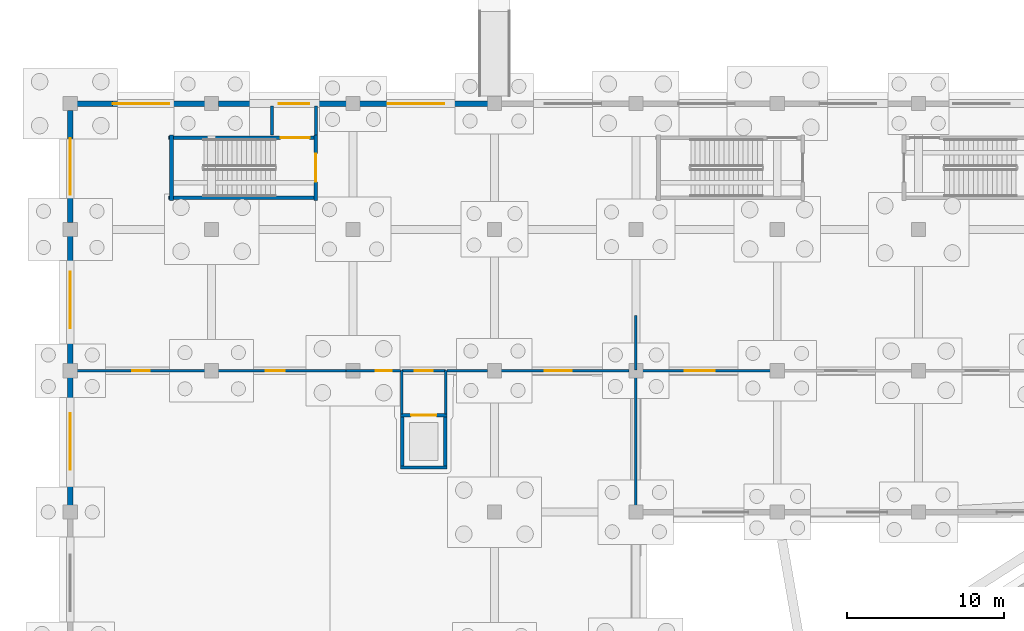
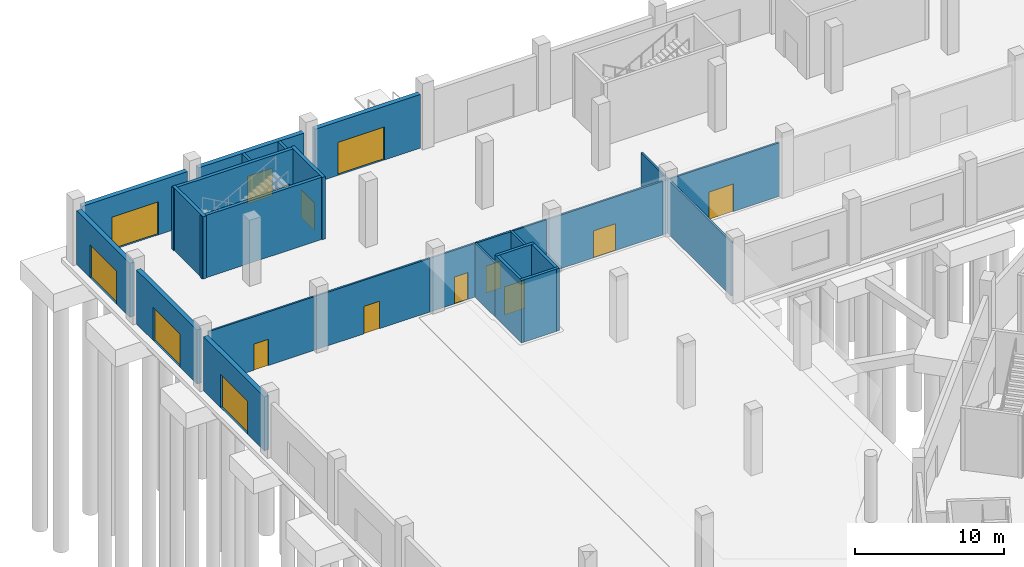
# One storey, part 43 of 103: 27 walls, 15 doors, 15 openings.
"""IFC4 building model written with IfcOpenShell, lengths in metres."""

from ifc_helpers import new_model, si_unit, direction, frame, frame_2d, origin, place, context, subcontext, project, spatial, rectangle, extrude, material, layer, layer_set, type_object, element, fill, save


model = new_model("IFC4")

# Units and contexts
model_context = context("Model", 3, precision=1e-05, world=origin(), true_north=direction((0.0, 1.0)))
body_context = subcontext(model_context, "Body", "Model", "MODEL_VIEW")
ifc_project = project(units=[si_unit("LENGTHUNIT", "METRE"), si_unit("AREAUNIT", "SQUARE_METRE"), si_unit("VOLUMEUNIT", "CUBIC_METRE"), si_unit("PLANEANGLEUNIT", "RADIAN"), si_unit("MASSUNIT", "GRAM", prefix="KILO")], contexts=[model_context])

# Site, building, storey
site_placement = place(None, origin())
site = spatial("IfcSite", under=ifc_project, at=site_placement, CompositionType="ELEMENT")
building_placement = place(site_placement, origin())
building = spatial("IfcBuilding", under=site, at=building_placement, Name="Zevraka Park Crest Stadium", CompositionType="ELEMENT")
storey_placement = place(building_placement, origin())
storey = spatial("IfcBuildingStorey", under=building, at=storey_placement, Name="L00", CompositionType="ELEMENT", Elevation=0.0)

# Wall, opening, door
ifc_material_1 = material(Name="Limestone and red clay brick masonry", Category="masonry")
ifc_layer_1 = layer(ifc_material_1, 0.35009765625)
ifc_layer_set_1 = layer_set([ifc_layer_1], Name="Limestone and red clay brick masonry")
wall_type_1 = type_object("IfcWallType", Name="EW01", PredefinedType="STANDARD", material=ifc_layer_set_1)
wall_1_placement = place(storey_placement, frame((0.0, 158.425048828125, 0.0), z_axis=(0.0, 0.0, 1.0), x_axis=(0.0, 1.0, 0.0)))
wall_1 = element("IfcWall", 1, at=wall_1_placement, inside=storey, type_object=wall_type_1, Name="Wing External Cavity Wall EW01 L00-NW-W-6", PredefinedType="STANDARD", context=body_context, shape_type="SweptSolid", body=[
    extrude(rectangle(XDim=8.14990234375, YDim=0.35009765625, at=frame_2d((4.074951171875, 0.0))), origin(), (0.0, 0.0, 1.0), 4.4169921875),
])
opening_1_placement = place(wall_1_placement, frame((2.27490234375, 0.0, 0.0)))
opening_1 = element("IfcOpeningElement", 2, at=opening_1_placement, cuts=wall_1, Name="Opening D-L00-E38", PredefinedType="OPENING", context=body_context, shape_type="SweptSolid", body=[
    extrude(rectangle(XDim=3.60009765625, YDim=2.699951171875, at=frame_2d((1.800048828125, 1.35009765625))), frame((0.0, 0.18505859375, 0.0), z_axis=(0.0, -1.0, 0.0), x_axis=(1.0, 0.0, 0.0)), (0.0, 0.0, 1.0), 0.3701171875),
])
ifc_material_2 = material(Name="Thermally broken architectural aluminium and safety glass", Category="aluminium")
door_type_1 = type_object("IfcDoorType", Name="ED01", OperationType="NOTDEFINED", PredefinedType="DOOR", material=ifc_material_2)
door_1_placement = place(opening_1_placement, origin())
door_1 = element("IfcDoor", 3, at=door_1_placement, inside=storey, type_object=door_type_1, Name="Concourse Final Exit E38", OperationType="DOUBLE_DOOR_SINGLE_SWING", OverallHeight=2.699951171875, OverallWidth=3.60009765625, PredefinedType="DOOR", context=body_context, shape_type="SweptSolid", body=[
    extrude(rectangle(XDim=3.60009765625, YDim=2.699951171875, at=frame_2d((1.800048828125, 1.35009765625))), frame((0.0, 0.02490234375, 0.0), z_axis=(0.0, -1.0, 0.0), x_axis=(1.0, 0.0, 0.0)), (0.0, 0.0, 1.0), 0.050048828125),
])
fill(opening_1, door_1)

wall_2_placement = place(storey_placement, frame((0.0, 167.425048828125, 0.0), z_axis=(0.0, 0.0, 1.0), x_axis=(0.0, 1.0, 0.0)))
wall_2 = element("IfcWall", 4, at=wall_2_placement, inside=storey, type_object=wall_type_1, Name="Wing External Cavity Wall EW01 L00-NW-W-7", PredefinedType="STANDARD", context=body_context, shape_type="SweptSolid", body=[
    extrude(rectangle(XDim=8.14990234375, YDim=0.35009765625, at=frame_2d((4.074951171875, 0.0))), origin(), (0.0, 0.0, 1.0), 4.4169921875),
])
opening_2_placement = place(wall_2_placement, frame((2.27490234375, 0.0, 0.0)))
opening_2 = element("IfcOpeningElement", 5, at=opening_2_placement, cuts=wall_2, Name="Opening D-L00-E39", PredefinedType="OPENING", context=body_context, shape_type="SweptSolid", body=[
    extrude(rectangle(XDim=3.60009765625, YDim=2.699951171875, at=frame_2d((1.800048828125, 1.35009765625))), frame((0.0, 0.18505859375, 0.0), z_axis=(0.0, -1.0, 0.0), x_axis=(1.0, 0.0, 0.0)), (0.0, 0.0, 1.0), 0.3701171875),
])
door_2_placement = place(opening_2_placement, origin())
door_2 = element("IfcDoor", 6, at=door_2_placement, inside=storey, type_object=door_type_1, Name="Concourse Final Exit E39", OperationType="DOUBLE_DOOR_SINGLE_SWING", OverallHeight=2.699951171875, OverallWidth=3.60009765625, PredefinedType="DOOR", context=body_context, shape_type="SweptSolid", body=[
    extrude(rectangle(XDim=3.60009765625, YDim=2.699951171875, at=frame_2d((1.800048828125, 1.35009765625))), frame((0.0, 0.02490234375, 0.0), z_axis=(0.0, -1.0, 0.0), x_axis=(1.0, 0.0, 0.0)), (0.0, 0.0, 1.0), 0.050048828125),
])
fill(opening_2, door_2)

wall_3_placement = place(storey_placement, frame((0.0, 176.425048828125, 0.0), z_axis=(0.0, 0.0, 1.0), x_axis=(0.0, 1.0, 0.0)))
wall_3 = element("IfcWall", 7, at=wall_3_placement, inside=storey, type_object=wall_type_1, Name="Wing External Cavity Wall EW01 L00-NW-W-8", PredefinedType="STANDARD", context=body_context, shape_type="SweptSolid", body=[
    extrude(rectangle(XDim=7.14990234375, YDim=0.35009765625, at=frame_2d((3.574951171875, 0.0))), origin(), (0.0, 0.0, 1.0), 4.4169921875),
])
opening_3_placement = place(wall_3_placement, frame((1.77490234375, 0.0, 0.0)))
opening_3 = element("IfcOpeningElement", 8, at=opening_3_placement, cuts=wall_3, Name="Opening D-L00-E40", PredefinedType="OPENING", context=body_context, shape_type="SweptSolid", body=[
    extrude(rectangle(XDim=3.60009765625, YDim=2.699951171875, at=frame_2d((1.800048828125, 1.35009765625))), frame((0.0, 0.18505859375, 0.0), z_axis=(0.0, -1.0, 0.0), x_axis=(1.0, 0.0, 0.0)), (0.0, 0.0, 1.0), 0.3701171875),
])
door_3_placement = place(opening_3_placement, origin())
door_3 = element("IfcDoor", 9, at=door_3_placement, inside=storey, type_object=door_type_1, Name="Concourse Final Exit E40", OperationType="DOUBLE_DOOR_SINGLE_SWING", OverallHeight=2.699951171875, OverallWidth=3.60009765625, PredefinedType="DOOR", context=body_context, shape_type="SweptSolid", body=[
    extrude(rectangle(XDim=3.60009765625, YDim=2.699951171875, at=frame_2d((1.800048828125, 1.35009765625))), frame((0.0, 0.02490234375, 0.0), z_axis=(0.0, -1.0, 0.0), x_axis=(1.0, 0.0, 0.0)), (0.0, 0.0, 1.0), 0.050048828125),
])
fill(opening_3, door_3)

wall_4_placement = place(storey_placement, frame((0.425048828125, 184.0, 0.0), z_axis=(0.0, 0.0, 1.0), x_axis=(1.0, 0.0, 0.0)))
wall_4 = element("IfcWall", 10, at=wall_4_placement, inside=storey, type_object=wall_type_1, Name="Wing External Cavity Wall EW01 L00-NW-N-1", PredefinedType="STANDARD", context=body_context, shape_type="SweptSolid", body=[
    extrude(rectangle(XDim=8.14990234375, YDim=0.35009765625, at=frame_2d((4.074951171875, 0.0))), origin(), (0.0, 0.0, 1.0), 4.383544921875),
])
opening_4_placement = place(wall_4_placement, frame((2.27490234375, 0.0, 0.0)))
opening_4 = element("IfcOpeningElement", 11, at=opening_4_placement, cuts=wall_4, Name="Opening D-L00-E41", PredefinedType="OPENING", context=body_context, shape_type="SweptSolid", body=[
    extrude(rectangle(XDim=3.60009765625, YDim=2.699951171875, at=frame_2d((1.800048828125, 1.35009765625))), frame((0.0, 0.18505859375, 0.0), z_axis=(0.0, -1.0, 0.0), x_axis=(1.0, 0.0, 0.0)), (0.0, 0.0, 1.0), 0.3701171875),
])
door_4_placement = place(opening_4_placement, origin())
door_4 = element("IfcDoor", 12, at=door_4_placement, inside=storey, type_object=door_type_1, Name="Concourse Final Exit E41", OperationType="DOUBLE_DOOR_SINGLE_SWING", OverallHeight=2.699951171875, OverallWidth=3.60009765625, PredefinedType="DOOR", context=body_context, shape_type="SweptSolid", body=[
    extrude(rectangle(XDim=3.60009765625, YDim=2.699951171875, at=frame_2d((1.800048828125, 1.35009765625))), frame((0.0, 0.02490234375, 0.0), z_axis=(0.0, -1.0, 0.0), x_axis=(1.0, 0.0, 0.0)), (0.0, 0.0, 1.0), 0.050048828125),
])
fill(opening_4, door_4)

wall_5_placement = place(storey_placement, frame((9.425048828125, 184.0, 0.0), z_axis=(0.0, 0.0, 1.0), x_axis=(1.0, 0.0, 0.0)))
wall_5 = element("IfcWall", 13, at=wall_5_placement, inside=storey, type_object=wall_type_1, Name="Wing External Cavity Wall EW01 L00-NW-N-2", PredefinedType="STANDARD", context=body_context, shape_type="SweptSolid", body=[
    extrude(rectangle(XDim=8.14990234375, YDim=0.35009765625, at=frame_2d((4.074951171875, 0.0))), origin(), (0.0, 0.0, 1.0), 4.383544921875),
])
opening_5_placement = place(wall_5_placement, frame((3.85009765625, 0.0, 0.0)))
opening_5 = element("IfcOpeningElement", 14, at=opening_5_placement, cuts=wall_5, Name="Opening D-L00-EX-ST47", PredefinedType="OPENING", context=body_context, shape_type="SweptSolid", body=[
    extrude(rectangle(XDim=1.949951171875, YDim=2.25, at=frame_2d((0.97509765625, 1.125))), frame((0.0, 0.18505859375, 0.0), z_axis=(0.0, -1.0, 0.0), x_axis=(1.0, 0.0, 0.0)), (0.0, 0.0, 1.0), 0.3701171875),
])
ifc_material_3 = material(Name="Thermally broken architectural aluminium and safety glass", Category="aluminium")
door_type_2 = type_object("IfcDoorType", Name="ED05", OperationType="NOTDEFINED", PredefinedType="DOOR", material=ifc_material_3)
door_5_placement = place(opening_5_placement, origin())
door_5 = element("IfcDoor", 15, at=door_5_placement, inside=storey, type_object=door_type_2, Name="Stair Final Exit Discharge Door D-L00-EX-ST47", OperationType="DOUBLE_DOOR_SINGLE_SWING", OverallHeight=2.25, OverallWidth=1.949951171875, PredefinedType="DOOR", context=body_context, shape_type="SweptSolid", body=[
    extrude(rectangle(XDim=1.949951171875, YDim=2.25, at=frame_2d((0.97509765625, 1.125))), frame((0.0, 0.02490234375, 0.0), z_axis=(0.0, -1.0, 0.0), x_axis=(1.0, 0.0, 0.0)), (0.0, 0.0, 1.0), 0.050048828125),
])
fill(opening_5, door_5)

wall_6_placement = place(storey_placement, frame((18.425048828125, 184.0, 0.0), z_axis=(0.0, 0.0, 1.0), x_axis=(1.0, 0.0, 0.0)))
wall_6 = element("IfcWall", 16, at=wall_6_placement, inside=storey, type_object=wall_type_1, Name="Wing External Cavity Wall EW01 L00-NW-N-3", PredefinedType="STANDARD", context=body_context, shape_type="SweptSolid", body=[
    extrude(rectangle(XDim=8.14990234375, YDim=0.35009765625, at=frame_2d((4.074951171875, 0.0))), origin(), (0.0, 0.0, 1.0), 4.383544921875),
])
opening_6_placement = place(wall_6_placement, frame((1.77490234375, 0.0, 0.0)))
opening_6 = element("IfcOpeningElement", 17, at=opening_6_placement, cuts=wall_6, Name="Opening D-L00-E42", PredefinedType="OPENING", context=body_context, shape_type="SweptSolid", body=[
    extrude(rectangle(XDim=3.60009765625, YDim=2.699951171875, at=frame_2d((1.800048828125, 1.35009765625))), frame((0.0, 0.18505859375, 0.0), z_axis=(0.0, -1.0, 0.0), x_axis=(1.0, 0.0, 0.0)), (0.0, 0.0, 1.0), 0.3701171875),
])
door_6_placement = place(opening_6_placement, origin())
door_6 = element("IfcDoor", 18, at=door_6_placement, inside=storey, type_object=door_type_1, Name="Concourse Final Exit E42", OperationType="DOUBLE_DOOR_SINGLE_SWING", OverallHeight=2.699951171875, OverallWidth=3.60009765625, PredefinedType="DOOR", context=body_context, shape_type="SweptSolid", body=[
    extrude(rectangle(XDim=3.60009765625, YDim=2.699951171875, at=frame_2d((1.800048828125, 1.35009765625))), frame((0.0, 0.02490234375, 0.0), z_axis=(0.0, -1.0, 0.0), x_axis=(1.0, 0.0, 0.0)), (0.0, 0.0, 1.0), 0.050048828125),
])
fill(opening_6, door_6)

# Walls
ifc_material_4 = material(Name="Autoclaved aerated masonry blockwork", Category="masonry")
ifc_layer_2 = layer(ifc_material_4, 0.199951171875)
ifc_layer_set_2 = layer_set([ifc_layer_2], Name="Autoclaved aerated masonry blockwork")
wall_type_2 = type_object("IfcWallType", Name="IW01", PredefinedType="PARTITIONING", material=ifc_layer_set_2)
for number, where, z_axis, x_axis, name in (
    (19, (15.64990234375, 182.0, 0.0), (0.0, 0.0, 1.0), (0.0, 1.0, 0.0), "Protected Exit Passageway Wall IW01 ST47-A"),
    (20, (12.85009765625, 182.0, 0.0), (0.0, 0.0, 1.0), (0.0, 1.0, 0.0), "Protected Exit Passageway Wall IW01 ST47-B"),
):
    element("IfcWall", number, at=place(storey_placement, frame(where, z_axis=z_axis, x_axis=x_axis)), inside=storey, type_object=wall_type_2, Name=name, PredefinedType="PARTITIONING", context=body_context, shape_type="SweptSolid", body=[
        extrude(rectangle(XDim=1.844970703125, YDim=0.199951171875, at=frame_2d((0.92236328125, 0.0))), origin(), (0.0, 0.0, 1.0), 4.383544921875),
    ])
ifc_material_5 = material(Name="Fire-rated twin-stud acoustic drywall", Category="other")
ifc_layer_3 = layer(ifc_material_5, 0.159912109375)
ifc_layer_set_3 = layer_set([ifc_layer_3], Name="Fire-rated twin-stud acoustic drywall")
wall_type_3 = type_object("IfcWallType", Name="IW02", PredefinedType="PARTITIONING", material=ifc_layer_set_3)
for number, where, z_axis, x_axis, name in (
    (21, (23.889892578125, 164.25, 0.0), (0.0, 0.0, 1.0), (0.0, 1.0, 0.0), "Goods Lift Lobby Wall IW02 GL01 L00 LEFT"),
    (22, (21.110107421875, 164.25, 0.0), (0.0, 0.0, 1.0), (0.0, 1.0, 0.0), "Goods Lift Lobby Wall IW02 GL01 L00 RIGHT"),
):
    element("IfcWall", number, at=place(storey_placement, frame(where, z_axis=z_axis, x_axis=x_axis)), inside=storey, type_object=wall_type_3, Name=name, PredefinedType="PARTITIONING", context=body_context, shape_type="SweptSolid", body=[
        extrude(rectangle(XDim=2.75, YDim=0.159912109375, at=frame_2d((1.375, 0.0))), origin(), (0.0, 0.0, 1.0), 4.383544921875),
    ])

# Wall, opening, door
wall_7_placement = place(storey_placement, frame((23.889892578125, 167.0, 0.0), z_axis=(0.0, 0.0, 1.0), x_axis=(-1.0, 0.0, 0.0)))
wall_7 = element("IfcWall", 23, at=wall_7_placement, inside=storey, type_object=wall_type_3, Name="Goods Lift Lobby Wall IW02 GL01 L00 FRONT", PredefinedType="PARTITIONING", context=body_context, shape_type="SweptSolid", body=[
    extrude(rectangle(XDim=2.77978515625, YDim=0.159912109375, at=frame_2d((1.389892578125, 0.0))), origin(), (0.0, 0.0, 1.0), 4.383544921875),
])
opening_7_placement = place(wall_7_placement, frame((0.81494140625, 0.0, 0.0)))
opening_7 = element("IfcOpeningElement", 24, at=opening_7_placement, cuts=wall_7, Name="Opening D-L00-329", PredefinedType="OPENING", context=body_context, shape_type="SweptSolid", body=[
    extrude(rectangle(XDim=1.14990234375, YDim=2.199951171875, at=frame_2d((0.574951171875, 1.10009765625))), frame((0.0, 0.08984375, 0.0), z_axis=(0.0, -1.0, 0.0), x_axis=(1.0, 0.0, 0.0)), (0.0, 0.0, 1.0), 0.179931640625),
])
ifc_material_6 = material(Name="Solid-core hardwood timber leaf in steel frame", Category="steel")
door_type_3 = type_object("IfcDoorType", Name="DR03", OperationType="NOTDEFINED", PredefinedType="DOOR", material=ifc_material_6)
door_7_placement = place(opening_7_placement, origin())
door_7 = element("IfcDoor", 25, at=door_7_placement, inside=storey, type_object=door_type_3, Name="Goods Lift Lobby GL01 Door D-L00-329", OperationType="SINGLE_SWING_LEFT", OverallHeight=2.199951171875, OverallWidth=1.14990234375, PredefinedType="DOOR", context=body_context, shape_type="SweptSolid", body=[
    extrude(rectangle(XDim=1.14990234375, YDim=2.199951171875, at=frame_2d((0.574951171875, 1.10009765625))), frame((0.0, 0.02490234375, 0.0), z_axis=(0.0, -1.0, 0.0), x_axis=(1.0, 0.0, 0.0)), (0.0, 0.0, 1.0), 0.050048828125),
])
fill(opening_7, door_7)

ifc_material_7 = material(Name="Fire-rated twin-stud acoustic drywall", Category="other")
ifc_layer_4 = layer(ifc_material_7, 0.139892578125)
ifc_layer_set_4 = layer_set([ifc_layer_4], Name="Fire-rated twin-stud acoustic drywall")
wall_type_4 = type_object("IfcWallType", Name="IW03", PredefinedType="PARTITIONING", material=ifc_layer_set_4)
wall_8_placement = place(storey_placement, frame((0.43505859375, 167.0, 0.0), z_axis=(0.0, 0.0, 1.0), x_axis=(1.0, 0.0, 0.0)))
wall_8 = element("IfcWall", 26, at=wall_8_placement, inside=storey, type_object=wall_type_4, Name="Interior Partition IW03 Parkside Pavilion Cafe L00", PredefinedType="PARTITIONING", context=body_context, shape_type="SweptSolid", body=[
    extrude(rectangle(XDim=8.1298828125, YDim=0.139892578125, at=frame_2d((4.06494140625, 0.0))), origin(), (0.0, 0.0, 1.0), 4.383544921875),
])
opening_8_placement = place(wall_8_placement, frame((3.514892578125, 0.0, 0.0)))
opening_8 = element("IfcOpeningElement", 27, at=opening_8_placement, cuts=wall_8, Name="Opening D-L00-357", PredefinedType="OPENING", context=body_context, shape_type="SweptSolid", body=[
    extrude(rectangle(XDim=1.10009765625, YDim=2.14990234375, at=frame_2d((0.550048828125, 1.074951171875))), frame((0.0, 0.079833984375, 0.0), z_axis=(0.0, -1.0, 0.0), x_axis=(1.0, 0.0, 0.0)), (0.0, 0.0, 1.0), 0.159912109375),
])
ifc_material_8 = material(Name="Solid-core hardwood timber leaf in steel frame", Category="steel")
door_type_4 = type_object("IfcDoorType", Name="DR10", OperationType="NOTDEFINED", PredefinedType="DOOR", material=ifc_material_8)
door_8_placement = place(opening_8_placement, origin())
door_8 = element("IfcDoor", 28, at=door_8_placement, inside=storey, type_object=door_type_4, Name="Parkside Pavilion Cafe Door D-L00-357", OperationType="SINGLE_SWING_LEFT", OverallHeight=2.14990234375, OverallWidth=1.10009765625, PredefinedType="DOOR", context=body_context, shape_type="SweptSolid", body=[
    extrude(rectangle(XDim=1.10009765625, YDim=2.14990234375, at=frame_2d((0.550048828125, 1.074951171875))), frame((0.0, 0.02490234375, 0.0), z_axis=(0.0, -1.0, 0.0), x_axis=(1.0, 0.0, 0.0)), (0.0, 0.0, 1.0), 0.050048828125),
])
fill(opening_8, door_8)

wall_9_placement = place(storey_placement, frame((8.550048828125, 167.0, 0.0), z_axis=(0.0, 0.0, 1.0), x_axis=(1.0, 0.0, 0.0)))
wall_9 = element("IfcWall", 29, at=wall_9_placement, inside=storey, type_object=wall_type_4, Name="Interior Partition IW03 Parkside Pavilion Cafe L00", PredefinedType="PARTITIONING", context=body_context, shape_type="SweptSolid", body=[
    extrude(rectangle(XDim=9.014892578125, YDim=0.139892578125, at=frame_2d((4.50732421875, 0.0))), origin(), (0.0, 0.0, 1.0), 4.383544921875),
])
opening_9_placement = place(wall_9_placement, frame((3.907958984375, 0.0, 0.0)))
opening_9 = element("IfcOpeningElement", 30, at=opening_9_placement, cuts=wall_9, Name="Opening D-L00-358", PredefinedType="OPENING", context=body_context, shape_type="SweptSolid", body=[
    extrude(rectangle(XDim=1.199951171875, YDim=2.25, at=frame_2d((0.60009765625, 1.125))), frame((0.0, 0.079833984375, 0.0), z_axis=(0.0, -1.0, 0.0), x_axis=(1.0, 0.0, 0.0)), (0.0, 0.0, 1.0), 0.159912109375),
])
ifc_material_9 = material(Name="Solid-core hardwood timber leaf in steel frame", Category="steel")
door_type_5 = type_object("IfcDoorType", Name="DR11", OperationType="NOTDEFINED", PredefinedType="DOOR", material=ifc_material_9)
door_9_placement = place(opening_9_placement, origin())
door_9 = element("IfcDoor", 31, at=door_9_placement, inside=storey, type_object=door_type_5, Name="Parkside Pavilion Cafe Door D-L00-358", OperationType="SINGLE_SWING_RIGHT", OverallHeight=2.25, OverallWidth=1.199951171875, PredefinedType="DOOR", context=body_context, shape_type="SweptSolid", body=[
    extrude(rectangle(XDim=1.199951171875, YDim=2.25, at=frame_2d((0.60009765625, 1.125))), frame((0.0, 0.02490234375, 0.0), z_axis=(0.0, -1.0, 0.0), x_axis=(1.0, 0.0, 0.0)), (0.0, 0.0, 1.0), 0.050048828125),
])
fill(opening_9, door_9)

wall_10_placement = place(storey_placement, frame((17.550048828125, 167.0, 0.0), z_axis=(0.0, 0.0, 1.0), x_axis=(1.0, 0.0, 0.0)))
wall_10 = element("IfcWall", 32, at=wall_10_placement, inside=storey, type_object=wall_type_4, Name="Interior Partition IW03 Parkside Pavilion Cafe L00", PredefinedType="PARTITIONING", context=body_context, shape_type="SweptSolid", body=[
    extrude(rectangle(XDim=3.47998046875, YDim=0.139892578125, at=frame_2d((1.739990234375, 0.0))), origin(), (0.0, 0.0, 1.0), 4.383544921875),
])
opening_10_placement = place(wall_10_placement, frame((1.903076171875, 0.0, 0.0)))
opening_10 = element("IfcOpeningElement", 33, at=opening_10_placement, cuts=wall_10, Name="Opening D-L00-359", PredefinedType="OPENING", context=body_context, shape_type="SweptSolid", body=[
    extrude(rectangle(XDim=1.02001953125, YDim=2.199951171875, at=frame_2d((0.510009765625, 1.10009765625))), frame((0.0, 0.079833984375, 0.0), z_axis=(0.0, -1.0, 0.0), x_axis=(1.0, 0.0, 0.0)), (0.0, 0.0, 1.0), 0.159912109375),
])
ifc_material_10 = material(Name="Solid-core hardwood timber leaf in steel frame", Category="steel")
door_type_6 = type_object("IfcDoorType", Name="DR21", OperationType="NOTDEFINED", PredefinedType="DOOR", material=ifc_material_10)
door_10_placement = place(opening_10_placement, origin())
door_10 = element("IfcDoor", 34, at=door_10_placement, inside=storey, type_object=door_type_6, Name="Parkside Pavilion Cafe Door D-L00-359", OperationType="SINGLE_SWING_LEFT", OverallHeight=2.199951171875, OverallWidth=1.02001953125, PredefinedType="DOOR", context=body_context, shape_type="SweptSolid", body=[
    extrude(rectangle(XDim=1.02001953125, YDim=2.199951171875, at=frame_2d((0.510009765625, 1.10009765625))), frame((0.0, 0.02490234375, 0.0), z_axis=(0.0, -1.0, 0.0), x_axis=(1.0, 0.0, 0.0)), (0.0, 0.0, 1.0), 0.050048828125),
])
fill(opening_10, door_10)

# Wall
wall_11_placement = place(storey_placement, frame((23.969970703125, 167.0, 0.0), z_axis=(0.0, 0.0, 1.0), x_axis=(1.0, 0.0, 0.0)))
element("IfcWall", 35, at=wall_11_placement, inside=storey, type_object=wall_type_4, Name="Interior Partition IW03 Parkside Pavilion Cafe L00", PredefinedType="PARTITIONING", context=body_context, shape_type="SweptSolid", body=[
    extrude(rectangle(XDim=2.594970703125, YDim=0.139892578125, at=frame_2d((1.29736328125, 0.0))), origin(), (0.0, 0.0, 1.0), 4.383544921875),
])

# Wall, opening, door
wall_12_placement = place(storey_placement, frame((26.550048828125, 167.0, 0.0), z_axis=(0.0, 0.0, 1.0), x_axis=(1.0, 0.0, 0.0)))
wall_12 = element("IfcWall", 36, at=wall_12_placement, inside=storey, type_object=wall_type_4, Name="Interior Partition IW03 Parkside Pavilion Cafe L00", PredefinedType="PARTITIONING", context=body_context, shape_type="SweptSolid", body=[
    extrude(rectangle(XDim=9.014892578125, YDim=0.139892578125, at=frame_2d((4.50732421875, 0.0))), origin(), (0.0, 0.0, 1.0), 4.383544921875),
])
opening_11_placement = place(wall_12_placement, frame((3.656982421875, 0.0, 0.0)))
opening_11 = element("IfcOpeningElement", 37, at=opening_11_placement, cuts=wall_12, Name="Opening D-L00-360", PredefinedType="OPENING", context=body_context, shape_type="SweptSolid", body=[
    extrude(rectangle(XDim=1.699951171875, YDim=2.199951171875, at=frame_2d((0.85009765625, 1.10009765625))), frame((0.0, 0.079833984375, 0.0), z_axis=(0.0, -1.0, 0.0), x_axis=(1.0, 0.0, 0.0)), (0.0, 0.0, 1.0), 0.159912109375),
])
ifc_material_11 = material(Name="Solid-core hardwood timber leaf in steel frame", Category="steel")
door_type_7 = type_object("IfcDoorType", Name="DR14", OperationType="NOTDEFINED", PredefinedType="DOOR", material=ifc_material_11)
door_11_placement = place(opening_11_placement, origin())
door_11 = element("IfcDoor", 38, at=door_11_placement, inside=storey, type_object=door_type_7, Name="Parkside Pavilion Cafe Door D-L00-360", OperationType="DOUBLE_DOOR_SINGLE_SWING", OverallHeight=2.199951171875, OverallWidth=1.699951171875, PredefinedType="DOOR", context=body_context, shape_type="SweptSolid", body=[
    extrude(rectangle(XDim=1.699951171875, YDim=2.199951171875, at=frame_2d((0.85009765625, 1.10009765625))), frame((0.0, 0.02490234375, 0.0), z_axis=(0.0, -1.0, 0.0), x_axis=(1.0, 0.0, 0.0)), (0.0, 0.0, 1.0), 0.050048828125),
])
fill(opening_11, door_11)

wall_13_placement = place(storey_placement, frame((35.550048828125, 167.0, 0.0), z_axis=(0.0, 0.0, 1.0), x_axis=(1.0, 0.0, 0.0)))
wall_13 = element("IfcWall", 39, at=wall_13_placement, inside=storey, type_object=wall_type_4, Name="Interior Partition IW03 Parkside Pavilion Cafe L00", PredefinedType="PARTITIONING", context=body_context, shape_type="SweptSolid", body=[
    extrude(rectangle(XDim=9.014892578125, YDim=0.139892578125, at=frame_2d((4.50732421875, 0.0))), origin(), (0.0, 0.0, 1.0), 4.383544921875),
])
opening_12_placement = place(wall_13_placement, frame((3.55810546875, 0.0, 0.0)))
opening_12 = element("IfcOpeningElement", 40, at=opening_12_placement, cuts=wall_13, Name="Opening D-L00-361", PredefinedType="OPENING", context=body_context, shape_type="SweptSolid", body=[
    extrude(rectangle(XDim=1.89990234375, YDim=2.25, at=frame_2d((0.949951171875, 1.125))), frame((0.0, 0.079833984375, 0.0), z_axis=(0.0, -1.0, 0.0), x_axis=(1.0, 0.0, 0.0)), (0.0, 0.0, 1.0), 0.159912109375),
])
ifc_material_12 = material(Name="Solid-core hardwood timber leaf in steel frame", Category="steel")
door_type_8 = type_object("IfcDoorType", Name="DR15", OperationType="NOTDEFINED", PredefinedType="DOOR", material=ifc_material_12)
door_12_placement = place(opening_12_placement, origin())
door_12 = element("IfcDoor", 41, at=door_12_placement, inside=storey, type_object=door_type_8, Name="Parkside Pavilion Cafe Door D-L00-361", OperationType="DOUBLE_DOOR_SINGLE_SWING", OverallHeight=2.25, OverallWidth=1.89990234375, PredefinedType="DOOR", context=body_context, shape_type="SweptSolid", body=[
    extrude(rectangle(XDim=1.89990234375, YDim=2.25, at=frame_2d((0.949951171875, 1.125))), frame((0.0, 0.02490234375, 0.0), z_axis=(0.0, -1.0, 0.0), x_axis=(1.0, 0.0, 0.0)), (0.0, 0.0, 1.0), 0.050048828125),
])
fill(opening_12, door_12)

# Walls
wall_14_placement = place(storey_placement, frame((36.0, 158.43505859375, 0.0), z_axis=(0.0, 0.0, 1.0), x_axis=(0.0, 1.0, 0.0)))
element("IfcWall", 42, at=wall_14_placement, inside=storey, type_object=wall_type_4, Name="Interior Partition IW03 Community Sports Reception Lounge L00", PredefinedType="PARTITIONING", context=body_context, shape_type="SweptSolid", body=[
    extrude(rectangle(XDim=8.510009765625, YDim=0.139892578125, at=frame_2d((4.2548828125, 0.0))), origin(), (0.0, 0.0, 1.0), 4.4169921875),
])
wall_15_placement = place(storey_placement, frame((36.0, 167.054931640625, 0.0), z_axis=(0.0, 0.0, 1.0), x_axis=(0.0, 1.0, 0.0)))
element("IfcWall", 43, at=wall_15_placement, inside=storey, type_object=wall_type_4, Name="Interior Partition IW03 Community Sports Reception Lounge L00", PredefinedType="PARTITIONING", context=body_context, shape_type="SweptSolid", body=[
    extrude(rectangle(XDim=3.445068359375, YDim=0.139892578125, at=frame_2d((1.72265625, 0.0))), origin(), (0.0, 0.0, 1.0), 4.4169921875),
])

# Wall, opening, door
ifc_material_13 = material(Name="Concrete C40/50", Category="concrete")
ifc_layer_5 = layer(ifc_material_13, 0.25)
ifc_layer_set_5 = layer_set([ifc_layer_5], Name="Concrete C40/50")
wall_type_5 = type_object("IfcWallType", Name="SW01", PredefinedType="SHEAR", material=ifc_layer_set_5)
wall_16_placement = place(storey_placement, frame((6.25, 181.830078125, 0.0), z_axis=(0.0, 0.0, 1.0), x_axis=(1.0, 0.0, 0.0)))
wall_16 = element("IfcWall", 44, at=wall_16_placement, inside=storey, type_object=wall_type_5, Name="Stair Core Shear Wall SW01 ST47 L00 left", PredefinedType="SHEAR", context=body_context, shape_type="SweptSolid", body=[
    extrude(rectangle(XDim=9.5, YDim=0.25, at=frame_2d((4.75, 0.0))), origin(), (0.0, 0.0, 1.0), 5.10009765625),
])
opening_13_placement = place(wall_16_placement, frame((7.139892578125, 0.0, 0.0)))
opening_13 = element("IfcOpeningElement", 45, at=opening_13_placement, cuts=wall_16, Name="Opening D-L00-244", PredefinedType="OPENING", context=body_context, shape_type="SweptSolid", body=[
    extrude(rectangle(XDim=1.85009765625, YDim=2.300048828125, at=frame_2d((0.925048828125, 1.14990234375))), frame((0.0, 0.135009765625, 0.0), z_axis=(0.0, -1.0, 0.0), x_axis=(1.0, 0.0, 0.0)), (0.0, 0.0, 1.0), 0.27001953125),
])
ifc_material_14 = material(Name="Solid-core hardwood timber leaf in steel frame", Category="steel")
door_type_9 = type_object("IfcDoorType", Name="DR05", OperationType="NOTDEFINED", PredefinedType="DOOR", material=ifc_material_14)
door_13_placement = place(opening_13_placement, origin())
door_13 = element("IfcDoor", 46, at=door_13_placement, inside=storey, type_object=door_type_9, Name="Stair Exit Discharge Door ST47", OperationType="DOUBLE_DOOR_SINGLE_SWING", OverallHeight=2.300048828125, OverallWidth=1.85009765625, PredefinedType="DOOR", context=body_context, shape_type="SweptSolid", body=[
    extrude(rectangle(XDim=1.85009765625, YDim=2.300048828125, at=frame_2d((0.925048828125, 1.14990234375))), frame((0.0, 0.02490234375, 0.0), z_axis=(0.0, -1.0, 0.0), x_axis=(1.0, 0.0, 0.0)), (0.0, 0.0, 1.0), 0.050048828125),
])
fill(opening_13, door_13)

# Wall
wall_17_placement = place(storey_placement, frame((6.25, 178.010009765625, 0.0), z_axis=(0.0, 0.0, 1.0), x_axis=(1.0, 0.0, 0.0)))
element("IfcWall", 47, at=wall_17_placement, inside=storey, type_object=wall_type_5, Name="Stair Core Shear Wall SW01 ST47 L00 right", PredefinedType="SHEAR", context=body_context, shape_type="SweptSolid", body=[
    extrude(rectangle(XDim=9.5, YDim=0.25, at=frame_2d((4.75, 0.0))), origin(), (0.0, 0.0, 1.0), 5.10009765625),
])

# Wall, opening, door
wall_18_placement = place(storey_placement, frame((15.625, 177.840087890625, 0.0), z_axis=(0.0, 0.0, 1.0), x_axis=(0.0, 1.0, 0.0)))
wall_18 = element("IfcWall", 48, at=wall_18_placement, inside=storey, type_object=wall_type_5, Name="Stair Core Shear Wall SW01 ST47 L00 near", PredefinedType="SHEAR", context=body_context, shape_type="SweptSolid", body=[
    extrude(rectangle(XDim=4.159912109375, YDim=0.25, at=frame_2d((2.080078125, 0.0))), origin(), (0.0, 0.0, 1.0), 5.10009765625),
])
opening_14_placement = place(wall_18_placement, frame((1.179931640625, 0.0, 0.0)))
opening_14 = element("IfcOpeningElement", 49, at=opening_14_placement, cuts=wall_18, Name="Opening D-L00-243", PredefinedType="OPENING", context=body_context, shape_type="SweptSolid", body=[
    extrude(rectangle(XDim=1.800048828125, YDim=2.25, at=frame_2d((0.89990234375, 1.125))), frame((0.0, 0.135009765625, 0.0), z_axis=(0.0, -1.0, 0.0), x_axis=(1.0, 0.0, 0.0)), (0.0, 0.0, 1.0), 0.27001953125),
])
ifc_material_15 = material(Name="Solid-core hardwood timber leaf in steel frame", Category="steel")
door_type_10 = type_object("IfcDoorType", Name="DR04", OperationType="NOTDEFINED", PredefinedType="DOOR", material=ifc_material_15)
door_14_placement = place(opening_14_placement, origin())
door_14 = element("IfcDoor", 50, at=door_14_placement, inside=storey, type_object=door_type_10, Name="Protected Stair Entry Door ST47 L00", OperationType="DOUBLE_DOOR_SINGLE_SWING", OverallHeight=2.25, OverallWidth=1.800048828125, PredefinedType="DOOR", context=body_context, shape_type="SweptSolid", body=[
    extrude(rectangle(XDim=1.800048828125, YDim=2.25, at=frame_2d((0.89990234375, 1.125))), frame((0.0, 0.02490234375, 0.0), z_axis=(0.0, -1.0, 0.0), x_axis=(1.0, 0.0, 0.0)), (0.0, 0.0, 1.0), 0.050048828125),
])
fill(opening_14, door_14)

# Walls
wall_19_placement = place(storey_placement, frame((6.43505859375, 182.0, 0.0), z_axis=(0.0, 0.0, 1.0), x_axis=(0.0, -1.0, 0.0)))
element("IfcWall", 51, at=wall_19_placement, inside=storey, type_object=wall_type_5, Name="Stair Core Shear Wall SW01 ST47 L00 far", PredefinedType="SHEAR", context=body_context, shape_type="SweptSolid", body=[
    extrude(rectangle(XDim=4.159912109375, YDim=0.25, at=frame_2d((2.080078125, 0.0))), origin(), (0.0, 0.0, 1.0), 5.10009765625),
])
ifc_material_16 = material(Name="Concrete C40/50", Category="concrete")
ifc_layer_6 = layer(ifc_material_16, 0.219970703125)
ifc_layer_set_6 = layer_set([ifc_layer_6], Name="Concrete C40/50")
wall_type_6 = type_object("IfcWallType", Name="SW02", PredefinedType="SHEAR", material=ifc_layer_set_6)
wall_20_placement = place(storey_placement, frame((21.030029296875, 160.840087890625, 0.0), z_axis=(0.0, 0.0, 1.0), x_axis=(1.0, 0.0, 0.0)))
element("IfcWall", 52, at=wall_20_placement, inside=storey, type_object=wall_type_6, Name="Lift Shaft Shear Wall SW02 GL01 L00-1", PredefinedType="SHEAR", context=body_context, shape_type="SweptSolid", body=[
    extrude(rectangle(XDim=2.93994140625, YDim=0.219970703125, at=frame_2d((1.469970703125, 0.0))), origin(), (0.0, 0.0, 1.0), 5.10009765625),
])
wall_21_placement = place(storey_placement, frame((23.860107421875, 160.72998046875, 0.0), z_axis=(0.0, 0.0, 1.0), x_axis=(0.0, 1.0, 0.0)))
element("IfcWall", 53, at=wall_21_placement, inside=storey, type_object=wall_type_6, Name="Lift Shaft Shear Wall SW02 GL01 L00-2", PredefinedType="SHEAR", context=body_context, shape_type="SweptSolid", body=[
    extrude(rectangle(XDim=3.5400390625, YDim=0.219970703125, at=frame_2d((1.77001953125, 0.0))), origin(), (0.0, 0.0, 1.0), 5.10009765625),
])

# Wall, opening, door
wall_22_placement = place(storey_placement, frame((23.969970703125, 164.159912109375, 0.0), z_axis=(0.0, 0.0, 1.0), x_axis=(-1.0, 0.0, 0.0)))
wall_22 = element("IfcWall", 54, at=wall_22_placement, inside=storey, type_object=wall_type_6, Name="Lift Shaft Shear Wall SW02 GL01 L00-3", PredefinedType="SHEAR", context=body_context, shape_type="SweptSolid", body=[
    extrude(rectangle(XDim=2.93994140625, YDim=0.219970703125, at=frame_2d((1.469970703125, 0.0))), origin(), (0.0, 0.0, 1.0), 5.10009765625),
])
opening_15_placement = place(wall_22_placement, frame((0.669921875, 0.0, 0.0)))
opening_15 = element("IfcOpeningElement", 55, at=opening_15_placement, cuts=wall_22, Name="Opening LD-GL01-L00", PredefinedType="OPENING", context=body_context, shape_type="SweptSolid", body=[
    extrude(rectangle(XDim=1.60009765625, YDim=2.300048828125, at=frame_2d((0.800048828125, 1.14990234375))), frame((0.0, 0.119873046875, 0.0), z_axis=(0.0, -1.0, 0.0), x_axis=(1.0, 0.0, 0.0)), (0.0, 0.0, 1.0), 0.239990234375),
])
ifc_material_17 = material(Name="Brushed stainless steel lift landing doors", Category="steel")
door_type_11 = type_object("IfcDoorType", Name="LD03", OperationType="NOTDEFINED", PredefinedType="DOOR", material=ifc_material_17)
door_15_placement = place(opening_15_placement, origin())
door_15 = element("IfcDoor", 56, at=door_15_placement, inside=storey, type_object=door_type_11, Name="Lift Sliding Landing Door LD-GL01-L00", OperationType="SLIDING_TO_LEFT", OverallHeight=2.300048828125, OverallWidth=1.60009765625, PredefinedType="DOOR", context=body_context, shape_type="SweptSolid", body=[
    extrude(rectangle(XDim=1.60009765625, YDim=2.300048828125, at=frame_2d((0.800048828125, 1.14990234375))), frame((0.0, 0.02490234375, 0.0), z_axis=(0.0, -1.0, 0.0), x_axis=(1.0, 0.0, 0.0)), (0.0, 0.0, 1.0), 0.050048828125),
])
fill(opening_15, door_15)

# Wall
wall_23_placement = place(storey_placement, frame((21.139892578125, 164.27001953125, 0.0), z_axis=(0.0, 0.0, 1.0), x_axis=(0.0, -1.0, 0.0)))
element("IfcWall", 57, at=wall_23_placement, inside=storey, type_object=wall_type_6, Name="Lift Shaft Shear Wall SW02 GL01 L00-4", PredefinedType="SHEAR", context=body_context, shape_type="SweptSolid", body=[
    extrude(rectangle(XDim=3.5400390625, YDim=0.219970703125, at=frame_2d((1.77001953125, 0.0))), origin(), (0.0, 0.0, 1.0), 5.10009765625),
])

save(model, "model.ifc")
